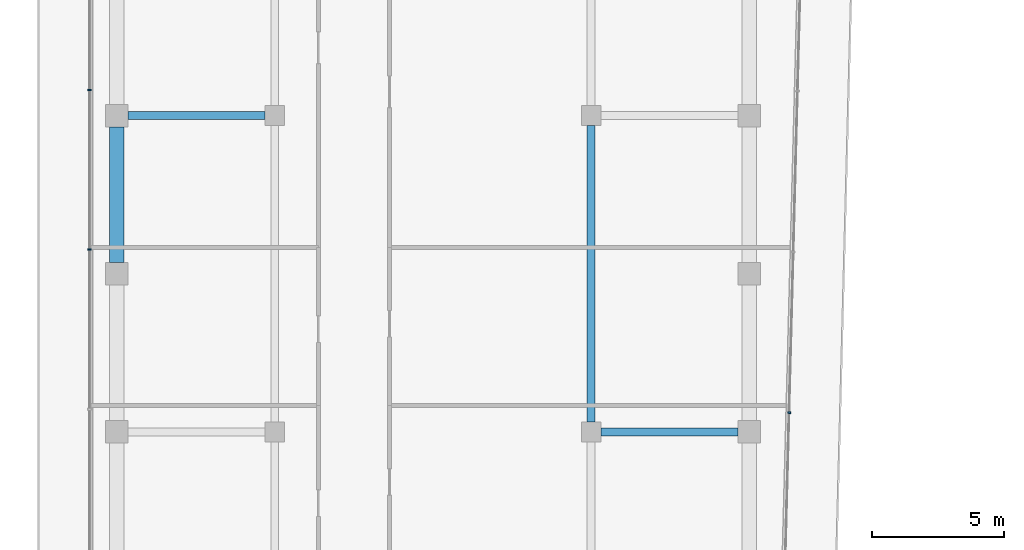
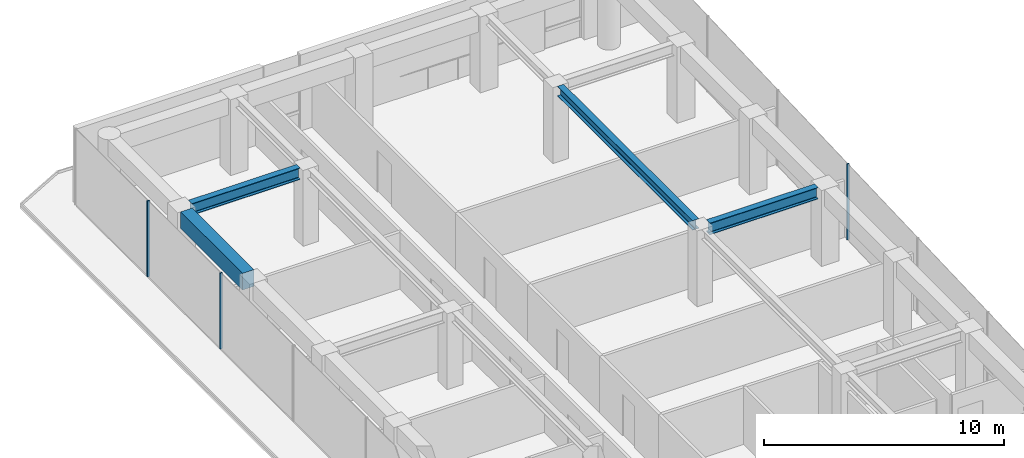
# One storey, part 11 of 19: 4 beams, 3 members, 2 elements without a shape of their own.
"""IFC4 building model written with IfcOpenShell, lengths in metres."""

from ifc_helpers import new_model, si_unit, direction, frame, origin, origin_2d, place, context, subcontext, project, spatial, rectangle, i_section, extrude, material, layer, layer_set, material_profile, profile_set, type_object, element, aggregate, save


model = new_model("IFC4")

# Units and contexts
model_context = context("Model", 3, precision=1e-05, world=origin(), true_north=direction((0.0, 1.0)))
body_context = subcontext(model_context, "Body", "Model", "MODEL_VIEW")
ifc_project = project(units=[si_unit("LENGTHUNIT", "METRE"), si_unit("AREAUNIT", "SQUARE_METRE"), si_unit("VOLUMEUNIT", "CUBIC_METRE"), si_unit("PLANEANGLEUNIT", "RADIAN"), si_unit("MASSUNIT", "GRAM", prefix="KILO")], contexts=[model_context])

# Site, building, storey
site_placement = place(None, origin())
site = spatial("IfcSite", under=ifc_project, at=site_placement, CompositionType="ELEMENT")
building_placement = place(site_placement, origin())
building = spatial("IfcBuilding", under=site, at=building_placement, Name="Welwitschia Terrace Campus", CompositionType="ELEMENT")
storey_placement = place(building_placement, frame((0.0, 0.0, 163.39990234375)))
storey = spatial("IfcBuildingStorey", under=building, at=storey_placement, Name="L36", CompositionType="ELEMENT", Elevation=163.39990234375)

# Beam
ifc_material_1 = material(Name="Steel S355", Category="steel")
ifc_material_profile_1 = material_profile(ifc_material_1, i_section(OverallWidth=0.300048828125, OverallDepth=0.489990234375, WebThickness=0.011962890625, FlangeThickness=0.02294921875, FilletRadius=0.027099609375, at=origin_2d()))
ifc_profile_set_1 = profile_set([ifc_material_profile_1], Name="Steel S355")
beam_type_1 = type_object("IfcBeamType", Name="Interior girder HE 500 A", PredefinedType="BEAM", material=ifc_profile_set_1)
beam_1_placement = place(storey_placement, frame((18.0, 44.37548828125, 3.60498046875), z_axis=(0.0, 1.0, 0.0), x_axis=(-1.0, 0.0, 0.0)))
element("IfcBeam", 1, at=beam_1_placement, inside=storey, type_object=beam_type_1, Name="Girder GB4", PredefinedType="BEAM", context=body_context, shape_type="SweptSolid", body=[
    extrude(i_section(OverallWidth=0.300048828125, OverallDepth=0.489990234375, WebThickness=0.011962890625, FlangeThickness=0.02294921875, FilletRadius=0.027099609375, at=origin_2d()), origin(), (0.0, 0.0, 1.0), 11.2490234375),
])

# Curtain wall, members
ifc_material_2 = material(Name="Bronze anodised aluminium", Category="aluminium")
ifc_layer = layer(ifc_material_2, 0.1201171875)
ifc_layer_set = layer_set([ifc_layer], Name="Bronze anodised aluminium")
curtain_wall_type = type_object("IfcCurtainWallType", Name="Curtain wall CW2 tower 6000", PredefinedType="NOTDEFINED", material=ifc_layer_set)
curtain_wall_1_placement = place(storey_placement, origin())
curtain_wall_1 = element("IfcCurtainWall", 2, at=curtain_wall_1_placement, inside=storey, type_object=curtain_wall_type, Name="CW L36.0.0", PredefinedType="NOTDEFINED")
ifc_material_3 = material(Name="Bronze anodised aluminium", Category="aluminium")
ifc_material_profile_2 = material_profile(ifc_material_3, rectangle(XDim=0.1201171875, YDim=0.06005859375, at=origin_2d()))
ifc_profile_set_2 = profile_set([ifc_material_profile_2], Name="Bronze anodised aluminium")
member_type = type_object("IfcMemberType", Name="Mullion 60x120", PredefinedType="MULLION", material=ifc_profile_set_2)
member_1_placement = place(storey_placement, frame((-1.030029296875, 56.965576171875, 0.0), z_axis=(0.0, 0.0, 1.0), x_axis=(1.0, 0.0, 0.0)))
member_1 = element("IfcMember", 3, at=member_1_placement, type_object=member_type, Name="Mullion L36.0.0.1", PredefinedType="MULLION", context=body_context, shape_type="SweptSolid", body=[
    extrude(rectangle(XDim=0.1201171875, YDim=0.06005859375, at=origin_2d()), origin(), (0.0, 0.0, 1.0), 3.85009765625),
])
member_2_placement = place(storey_placement, frame((-1.030029296875, 50.91259765625, 0.0), z_axis=(0.0, 0.0, 1.0), x_axis=(1.0, 0.0, 0.0)))
member_2 = element("IfcMember", 4, at=member_2_placement, type_object=member_type, Name="Mullion L36.0.0.2", PredefinedType="MULLION", context=body_context, shape_type="SweptSolid", body=[
    extrude(rectangle(XDim=0.1201171875, YDim=0.06005859375, at=origin_2d()), origin(), (0.0, 0.0, 1.0), 3.85009765625),
])
aggregate(curtain_wall_1, [member_1, member_2])

# Curtain wall, member
curtain_wall_2_placement = place(storey_placement, origin())
curtain_wall_2 = element("IfcCurtainWall", 5, at=curtain_wall_2_placement, inside=storey, type_object=curtain_wall_type, Name="CW L36.10.0", PredefinedType="NOTDEFINED")
member_3_placement = place(storey_placement, frame((25.510986328125, 44.7275390625, 0.0), z_axis=(0.0, 0.0, 1.0), x_axis=(-0.999657324976, 0.026176948308, 0.0)))
member_3 = element("IfcMember", 6, at=member_3_placement, type_object=member_type, Name="Mullion L36.10.0.3", PredefinedType="MULLION", context=body_context, shape_type="SweptSolid", body=[
    extrude(rectangle(XDim=0.1201171875, YDim=0.06005859375, at=origin_2d()), origin(), (0.0, 0.0, 1.0), 3.85009765625),
])
aggregate(curtain_wall_2, [member_3])

# Beams
ifc_material_4 = material(Name="Steel S355", Category="steel")
ifc_material_profile_3 = material_profile(ifc_material_4, i_section(OverallWidth=0.300048828125, OverallDepth=0.590087890625, WebThickness=0.012939453125, FlangeThickness=0.02490234375, FilletRadius=0.027099609375, at=origin_2d()))
ifc_profile_set_3 = profile_set([ifc_material_profile_3], Name="Steel S355")
beam_type_2 = type_object("IfcBeamType", Name="Primary beam HE 600 A", PredefinedType="BEAM", material=ifc_profile_set_3)
for number, where, z_axis, x_axis, name in (
    (7, (23.574462890625, 44.0, 3.55517578125), (-1.0, 0.0, 0.0), (0.0, -1.0, 0.0), "Primary beam PB4"),
    (8, (0.425537109375, 56.0, 3.55517578125), (1.0, 0.0, 0.0), (0.0, 1.0, 0.0), "Primary beam PB4"),
):
    element("IfcBeam", number, at=place(storey_placement, frame(where, z_axis=z_axis, x_axis=x_axis)), inside=storey, type_object=beam_type_2, Name=name, PredefinedType="BEAM", context=body_context, shape_type="SweptSolid", body=[
        extrude(i_section(OverallWidth=0.300048828125, OverallDepth=0.590087890625, WebThickness=0.012939453125, FlangeThickness=0.02490234375, FilletRadius=0.027099609375, at=origin_2d()), origin(), (0.0, 0.0, 1.0), 5.198974609375),
    ])
ifc_material_5 = material(Name="Concrete C50/60", Category="concrete")
ifc_material_profile_4 = material_profile(ifc_material_5, rectangle(XDim=0.550048828125, YDim=0.85009765625, at=origin_2d()))
ifc_profile_set_4 = profile_set([ifc_material_profile_4], Name="Concrete C50/60")
beam_type_3 = type_object("IfcBeamType", Name="Ring spandrel 550x850", PredefinedType="SPANDREL", material=ifc_profile_set_4)
beam_2_placement = place(storey_placement, frame((0.0, 55.574462890625, 3.425048828125), z_axis=(0.0, -1.0, 0.0), x_axis=(1.0, 0.0, 0.0)))
element("IfcBeam", 9, at=beam_2_placement, inside=storey, type_object=beam_type_3, Name="Spandrel SP3", PredefinedType="SPANDREL", context=body_context, shape_type="SweptSolid", body=[
    extrude(rectangle(XDim=0.550048828125, YDim=0.85009765625, at=origin_2d()), origin(), (0.0, 0.0, 1.0), 5.14892578125),
])

save(model, "model.ifc")
